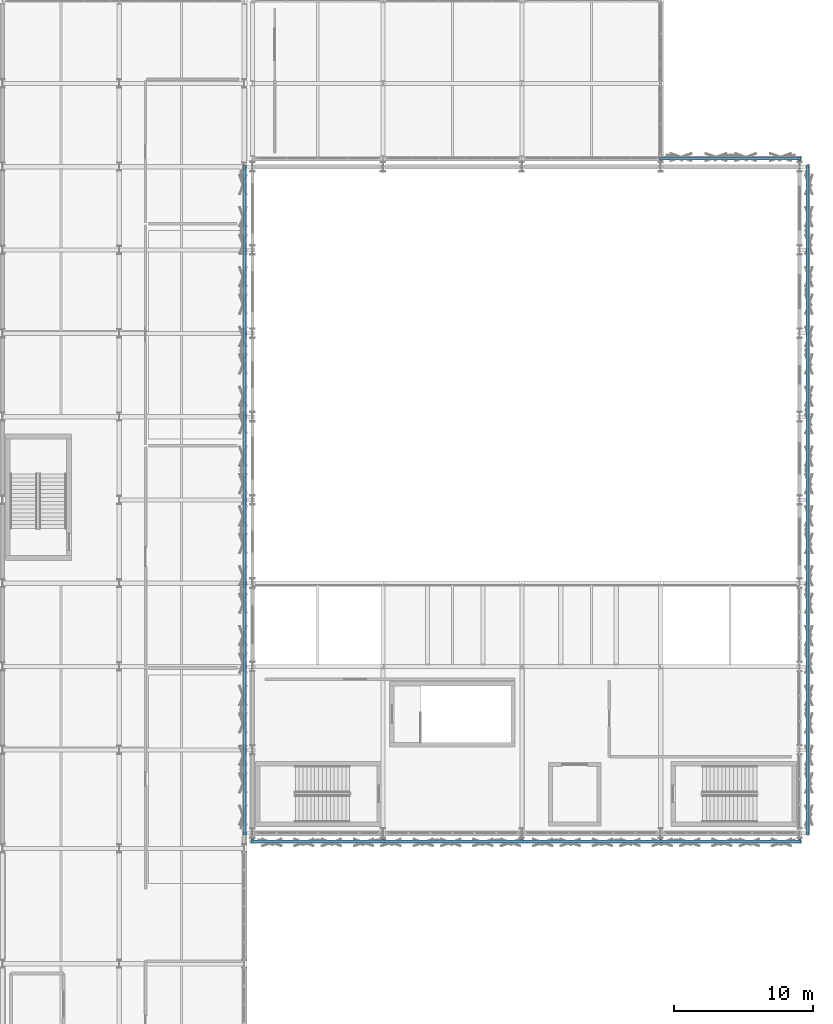
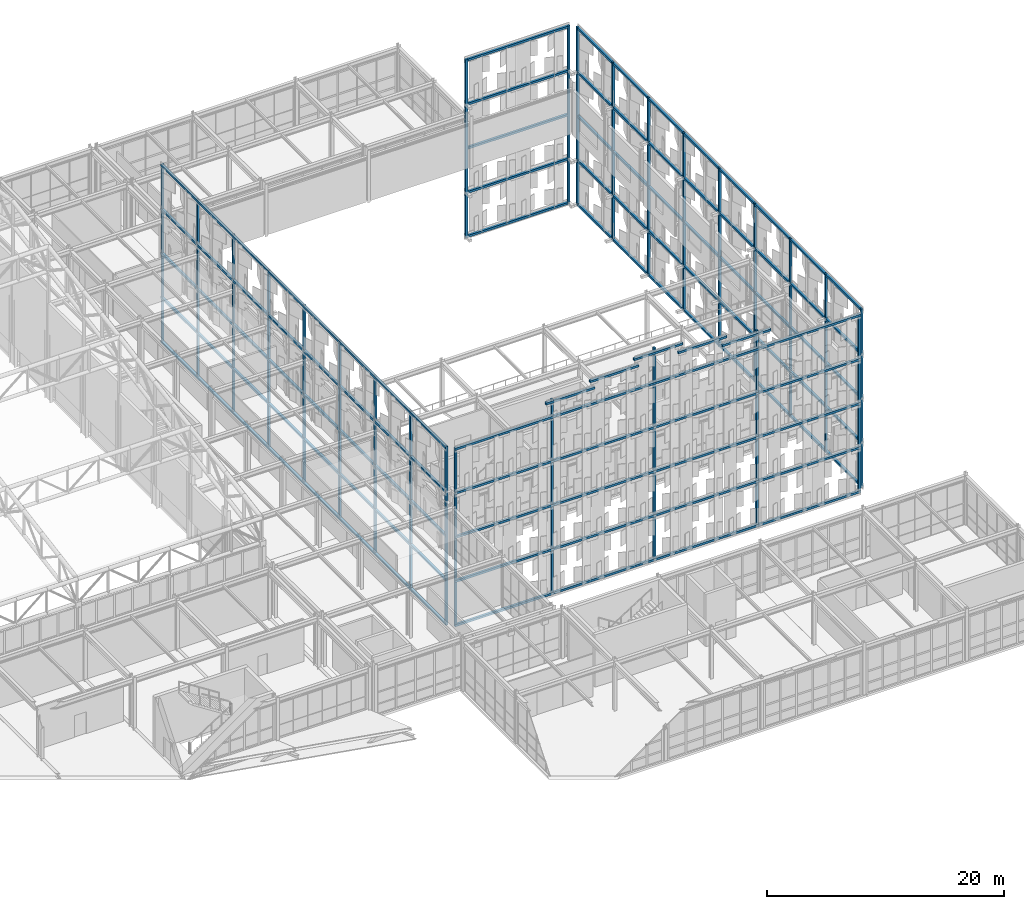
# One storey, part 210 of 239: 50 discrete accessories.
"""IFC4 building model written with IfcOpenShell, lengths in metres."""

import ifcopenshell
import ifcopenshell.guid

model = None  # the IFC model being written
_history = None  # IfcOwnerHistory: only IFC2X3 demands one
_inside = {}  # id of a spatial element -> (the spatial element, [elements in it])
_under = {}  # id of a project, library or spatial element -> (it, [spatial elements below it])
_declared = {}  # id of a project -> (the project, [libraries it declares])
_typed = {}  # id of a type object -> (the type object, [elements of that type])
_made_of = {}  # id of a material, layer set ... -> (it, [elements and type objects made of it])


def new_model(schema):
    """Start an empty IFC model of exactly this schema.

    Asked for "IFC4X3", IfcOpenShell would pick the latest addendum, in which some entities
    have other attributes; the version numbers below select the first issue.
    IFC2X3 requires an IfcOwnerHistory on every rooted entity: one is made here for all.
    """
    global model, _history
    if schema == "IFC4X3":
        model = ifcopenshell.file(schema_version=(4, 3, 0, 0))
    else:
        model = ifcopenshell.file(schema=schema)
    _inside.clear()
    _under.clear()
    _declared.clear()
    _typed.clear()
    _made_of.clear()
    _history = None
    if model.schema == "IFC2X3":
        org = make("IfcOrganization", Name="unknown")
        user = make(
            "IfcPersonAndOrganization",
            ThePerson=make("IfcPerson", FamilyName="unknown"),
            TheOrganization=org,
        )
        app = make(
            "IfcApplication",
            ApplicationDeveloper=org,
            Version="unknown",
            ApplicationFullName="unknown",
            ApplicationIdentifier="unknown",
        )
        _history = make(
            "IfcOwnerHistory",
            OwningUser=user,
            OwningApplication=app,
            ChangeAction="ADDED",
            CreationDate=0,
        )
    return model


def make(cls, **values):
    """One entity of the class cls with the attributes given. An attribute that is None is left unset."""
    return model.create_entity(
        cls, **{name: value for name, value in values.items() if value is not None}
    )


def rooted(cls, **values):
    """An entity with a GlobalId (a new one), such as an element, a storey or a relation."""
    return make(cls, GlobalId=ifcopenshell.guid.new(), OwnerHistory=_history, **values)


def si_unit(unit_type, name, prefix=None):
    """IfcSIUnit, for example si_unit("LENGTHUNIT", "METRE", prefix="MILLI")."""
    return make("IfcSIUnit", UnitType=unit_type, Prefix=prefix, Name=name)


def assignment(units):
    """IfcUnitAssignment: the units of a project."""
    return None if units is None else make("IfcUnitAssignment", Units=units)


def point(xyz):
    """IfcCartesianPoint."""
    return None if xyz is None else make("IfcCartesianPoint", Coordinates=xyz)


def direction(xyz):
    """IfcDirection."""
    return None if xyz is None else make("IfcDirection", DirectionRatios=xyz)


def frame(location, z_axis=None, x_axis=None):
    """IfcAxis2Placement3D, a coordinate frame: its origin and axes. An axis left out is left unset."""
    return make(
        "IfcAxis2Placement3D",
        Location=point(location),
        Axis=direction(z_axis),
        RefDirection=direction(x_axis),
    )


def frame_2d(location, x_axis=None):
    """IfcAxis2Placement2D, a coordinate frame in the plane: its origin and x axis."""
    return make(
        "IfcAxis2Placement2D", Location=point(location), RefDirection=direction(x_axis)
    )


def origin():
    """The frame at (0, 0, 0) with its axes left unset."""
    return frame((0.0, 0.0, 0.0))


def origin_2d():
    """The frame at (0, 0) in the plane with its x axis left unset."""
    return frame_2d((0.0, 0.0))


def place(relative_to, where):
    """IfcLocalPlacement: puts the frame where relative to a parent placement (None: the world)."""
    return make(
        "IfcLocalPlacement", PlacementRelTo=relative_to, RelativePlacement=where
    )


def context(
    kind, dimensions, precision=None, world=None, true_north=None, identifier=None
):
    """IfcGeometricRepresentationContext, for example the 3D "Model" context."""
    return make(
        "IfcGeometricRepresentationContext",
        ContextIdentifier=identifier,
        ContextType=kind,
        CoordinateSpaceDimension=dimensions,
        Precision=precision,
        WorldCoordinateSystem=world,
        TrueNorth=true_north,
    )


def subcontext(parent, identifier, kind, view, scale=None):
    """IfcGeometricRepresentationSubContext, for example "Body" below "Model"."""
    return make(
        "IfcGeometricRepresentationSubContext",
        ContextIdentifier=identifier,
        ContextType=kind,
        ParentContext=parent,
        TargetScale=scale,
        TargetView=view,
    )


def project(units=None, contexts=None):
    """IfcProject with its units and contexts."""
    return rooted(
        "IfcProject",
        Name="project",
        RepresentationContexts=contexts,
        UnitsInContext=assignment(units),
    )


def spatial(cls, under=None, at=None, **own):
    """A site, building, storey or space (cls), placed at a placement, below another one or the project."""
    s = rooted(cls, ObjectPlacement=at, **own)
    if under is not None:
        _under.setdefault(under.id(), (under, []))[1].append(s)
    return s


def profile(cls, at=None, kind="AREA", **sizes):
    """A parametric profile (cls). Its sizes go by their IFC names, for example OverallWidth=200.0."""
    return make(cls, ProfileType=kind, Position=at, **sizes)


def rectangle(**sizes):
    """IfcRectangleProfileDef."""
    return profile("IfcRectangleProfileDef", **sizes)


def extrude(swept, where, along, depth):
    """IfcExtrudedAreaSolid: the profile swept, set in the frame where, extruded along a direction by depth."""
    return make(
        "IfcExtrudedAreaSolid",
        SweptArea=swept,
        Position=where,
        ExtrudedDirection=direction(along),
        Depth=depth,
    )


def shape(context_of_items, identifier, shape_type, items):
    """IfcShapeRepresentation: the items that make up one representation, for example the "Body"."""
    return make(
        "IfcShapeRepresentation",
        ContextOfItems=context_of_items,
        RepresentationIdentifier=identifier,
        RepresentationType=shape_type,
        Items=items,
    )


def material(Name=None, Category=None):
    """IfcMaterial."""
    return make("IfcMaterial", Name=Name, Category=Category)


def made_of(thing, what):
    """Note that an element or type object is made of a material, layer set ...; save() writes the relation."""
    if what is not None:
        _made_of.setdefault(what.id(), (what, []))[1].append(thing)
    return thing


def type_object(cls, material=None, **own):
    """A type object (cls), such as IfcWallType, which elements share."""
    return made_of(rooted(cls, **own), material)


def element(
    cls,
    number,
    at=None,
    inside=None,
    cuts=None,
    type_object=None,
    material=None,
    context=None,
    identifier="Body",
    shape_type=None,
    held_by="IfcProductDefinitionShape",
    body=None,
    shapes=None,
    **own,
):
    """One element of the class cls, such as IfcWall. Its Tag is "e" and its number.

    at: its placement. inside: the storey or other place that contains it. cuts: it is an
    opening in that element (IfcRelVoidsElement). A single representation is given by context,
    identifier, shape_type and body (its items); several are given by shapes. held_by: the class
    of the entity that holds the representations. save() writes the other relations.
    """
    e = rooted(cls, Tag="e%d" % number, ObjectPlacement=at, **own)
    if body is not None:
        shapes = [shape(context, identifier, shape_type, body)]
    if shapes is not None:
        e.Representation = make(held_by, Representations=shapes)
    if inside is not None:
        _inside.setdefault(inside.id(), (inside, []))[1].append(e)
    if cuts is not None:
        rooted(
            "IfcRelVoidsElement", RelatingBuildingElement=cuts, RelatedOpeningElement=e
        )
    if type_object is not None:
        _typed.setdefault(type_object.id(), (type_object, []))[1].append(e)
    return made_of(e, material)


def aggregate(whole, parts):
    """IfcRelAggregates: a whole, such as a stair, and the parts it consists of."""
    return rooted("IfcRelAggregates", RelatingObject=whole, RelatedObjects=parts)


def save(model, path):
    """Write the relations noted so far, then the file.

    IfcRelAggregates (storeys below a building ...), IfcRelContainedInSpatialStructure (elements
    in a storey), IfcRelDefinesByType, IfcRelAssociatesMaterial and IfcRelDeclares: one each for
    every whole, place, type object, material and project.
    """
    for whole, parts in _under.values():
        aggregate(whole, parts)
    for where, things in _inside.values():
        rooted(
            "IfcRelContainedInSpatialStructure",
            RelatedElements=things,
            RelatingStructure=where,
        )
    for kind, things in _typed.values():
        rooted("IfcRelDefinesByType", RelatedObjects=things, RelatingType=kind)
    for what, things in _made_of.values():
        rooted("IfcRelAssociatesMaterial", RelatedObjects=things, RelatingMaterial=what)
    for by, libraries in _declared.values():
        rooted("IfcRelDeclares", RelatingContext=by, RelatedDefinitions=libraries)
    model.write(path)


model = new_model("IFC4")

# Units and contexts
model_context = context("Model", 3, precision=1e-05, world=origin(), true_north=direction((0.0, 1.0)))
body_context = subcontext(model_context, "Body", "Model", "MODEL_VIEW")
ifc_project = project(units=[si_unit("LENGTHUNIT", "METRE"), si_unit("AREAUNIT", "SQUARE_METRE"), si_unit("VOLUMEUNIT", "CUBIC_METRE"), si_unit("PLANEANGLEUNIT", "RADIAN"), si_unit("MASSUNIT", "GRAM", prefix="KILO")], contexts=[model_context])

# Site, building, storey
site_placement = place(None, origin())
site = spatial("IfcSite", under=ifc_project, at=site_placement, CompositionType="ELEMENT")
building_placement = place(site_placement, origin())
building = spatial("IfcBuilding", under=site, at=building_placement, Name="Kaldris Quays Convention Centre", CompositionType="ELEMENT")
storey_placement = place(building_placement, frame((0.0, 0.0, 11.39990234375)))
storey = spatial("IfcBuildingStorey", under=building, at=storey_placement, Name="L02", CompositionType="ELEMENT", Elevation=11.39990234375)

# Discrete accessories
ifc_material = material(Name="Steel S355J2", Category="steel")
discrete_accessory_type = type_object("IfcDiscreteAccessoryType", Name="SCREEN OUTRIGGER BRACKET BK01", PredefinedType="BRACKET", material=ifc_material)
for number, where, z_axis, x_axis, name in (
    (1, (204.56005859375, 56.0, -7.669921875), (0.0, 0.0, 1.0), (0.0, 1.0, 0.0), "V2E Screen Vertical Carrier Mullion 267"),
    (2, (204.56005859375, 62.0, -7.669921875), (0.0, 0.0, 1.0), (0.0, 1.0, 0.0), "V2E Screen Vertical Carrier Mullion 272"),
    (3, (204.56005859375, 68.0, -7.669921875), (0.0, 0.0, 1.0), (0.0, 1.0, 0.0), "V2E Screen Vertical Carrier Mullion 277"),
    (4, (204.56005859375, 74.0, -7.669921875), (0.0, 0.0, 1.0), (0.0, 1.0, 0.0), "V2E Screen Vertical Carrier Mullion 282"),
    (5, (204.56005859375, 80.0, -7.669921875), (0.0, 0.0, 1.0), (0.0, 1.0, 0.0), "V2E Screen Vertical Carrier Mullion 287"),
    (6, (204.56005859375, 86.0, -7.669921875), (0.0, 0.0, 1.0), (0.0, 1.0, 0.0), "V2E Screen Vertical Carrier Mullion 292"),
    (7, (204.56005859375, 92.0, -7.669921875), (0.0, 0.0, 1.0), (0.0, 1.0, 0.0), "V2E Screen Vertical Carrier Mullion 297"),
    (8, (204.56005859375, 98.0, -7.669921875), (0.0, 0.0, 1.0), (0.0, 1.0, 0.0), "V2E Screen Vertical Carrier Mullion 302"),
    (9, (204.56005859375, 104.0, -7.669921875), (0.0, 0.0, 1.0), (0.0, 1.0, 0.0), "V2E Screen Vertical Carrier Mullion 307"),
):
    element("IfcDiscreteAccessory", number, at=place(storey_placement, frame(where, z_axis=z_axis, x_axis=x_axis)), inside=storey, type_object=discrete_accessory_type, Name=name, PredefinedType="BRACKET", context=body_context, shape_type="SweptSolid", body=[
        extrude(rectangle(XDim=0.199951171875, YDim=0.219970703125, at=origin_2d()), origin(), (0.0, 0.0, 1.0), 18.43994140625),
    ])
for number, where, z_axis, x_axis, name in (
    (10, (204.580078125, 80.0, -7.65966796875), (0.0, 0.0, 1.0), (0.0, 1.0, 0.0), "V2E Screen Carrier Rail 312"),
    (11, (204.580078125, 80.0, -3.10986328125), (0.0, 0.0, 1.0), (0.0, 1.0, 0.0), "V2E Screen Carrier Rail 313"),
    (12, (204.580078125, 80.0, 1.43994140625), (0.0, 0.0, 1.0), (0.0, 1.0, 0.0), "V2E Screen Carrier Rail 314"),
    (13, (204.580078125, 80.0, 5.990234375), (0.0, 0.0, 1.0), (0.0, 1.0, 0.0), "V2E Screen Carrier Rail 315"),
    (14, (204.580078125, 80.0, 10.5400390625), (0.0, 0.0, 1.0), (0.0, 1.0, 0.0), "V2E Screen Carrier Rail 316"),
):
    element("IfcDiscreteAccessory", number, at=place(storey_placement, frame(where, z_axis=z_axis, x_axis=x_axis)), inside=storey, type_object=discrete_accessory_type, Name=name, PredefinedType="BRACKET", context=body_context, shape_type="SweptSolid", body=[
        extrude(rectangle(XDim=48.199951171875, YDim=0.219970703125, at=origin_2d()), origin(), (0.0, 0.0, 1.0), 0.219970703125),
    ])
for number, where, z_axis, x_axis, name in (
    (15, (164.0400390625, 56.0, -7.669921875), (0.0, 0.0, 1.0), (0.0, 1.0, 0.0), "V2W Screen Vertical Carrier Mullion 317"),
    (16, (164.0400390625, 62.0, -7.669921875), (0.0, 0.0, 1.0), (0.0, 1.0, 0.0), "V2W Screen Vertical Carrier Mullion 322"),
    (17, (164.0400390625, 68.0, -7.669921875), (0.0, 0.0, 1.0), (0.0, 1.0, 0.0), "V2W Screen Vertical Carrier Mullion 327"),
    (18, (164.0400390625, 74.0, -7.669921875), (0.0, 0.0, 1.0), (0.0, 1.0, 0.0), "V2W Screen Vertical Carrier Mullion 332"),
    (19, (164.0400390625, 80.0, -7.669921875), (0.0, 0.0, 1.0), (0.0, 1.0, 0.0), "V2W Screen Vertical Carrier Mullion 337"),
    (20, (164.0400390625, 86.0, -7.669921875), (0.0, 0.0, 1.0), (0.0, 1.0, 0.0), "V2W Screen Vertical Carrier Mullion 342"),
    (21, (164.0400390625, 92.0, -7.669921875), (0.0, 0.0, 1.0), (0.0, 1.0, 0.0), "V2W Screen Vertical Carrier Mullion 347"),
    (22, (164.0400390625, 98.0, -7.669921875), (0.0, 0.0, 1.0), (0.0, 1.0, 0.0), "V2W Screen Vertical Carrier Mullion 352"),
    (23, (164.0400390625, 104.0, -7.669921875), (0.0, 0.0, 1.0), (0.0, 1.0, 0.0), "V2W Screen Vertical Carrier Mullion 357"),
):
    element("IfcDiscreteAccessory", number, at=place(storey_placement, frame(where, z_axis=z_axis, x_axis=x_axis)), inside=storey, type_object=discrete_accessory_type, Name=name, PredefinedType="BRACKET", context=body_context, shape_type="SweptSolid", body=[
        extrude(rectangle(XDim=0.199951171875, YDim=0.219970703125, at=origin_2d()), origin(), (0.0, 0.0, 1.0), 18.43994140625),
    ])
for number, where, z_axis, x_axis, name in (
    (24, (164.02001953125, 80.0, -7.65966796875), (0.0, 0.0, 1.0), (0.0, 1.0, 0.0), "V2W Screen Carrier Rail 362"),
    (25, (164.02001953125, 80.0, -3.10986328125), (0.0, 0.0, 1.0), (0.0, 1.0, 0.0), "V2W Screen Carrier Rail 363"),
    (26, (164.02001953125, 80.0, 1.43994140625), (0.0, 0.0, 1.0), (0.0, 1.0, 0.0), "V2W Screen Carrier Rail 364"),
    (27, (164.02001953125, 80.0, 5.990234375), (0.0, 0.0, 1.0), (0.0, 1.0, 0.0), "V2W Screen Carrier Rail 365"),
    (28, (164.02001953125, 80.0, 10.5400390625), (0.0, 0.0, 1.0), (0.0, 1.0, 0.0), "V2W Screen Carrier Rail 366"),
):
    element("IfcDiscreteAccessory", number, at=place(storey_placement, frame(where, z_axis=z_axis, x_axis=x_axis)), inside=storey, type_object=discrete_accessory_type, Name=name, PredefinedType="BRACKET", context=body_context, shape_type="SweptSolid", body=[
        extrude(rectangle(XDim=48.199951171875, YDim=0.219970703125, at=origin_2d()), origin(), (0.0, 0.0, 1.0), 0.219970703125),
    ])
discrete_accessory_1_placement = place(storey_placement, frame((164.60009765625, 55.43994140625, -7.669921875), z_axis=(0.0, 0.0, 1.0), x_axis=(1.0, 0.0, 0.0)))
element("IfcDiscreteAccessory", 29, at=discrete_accessory_1_placement, inside=storey, type_object=discrete_accessory_type, Name="V2S Screen Vertical Carrier Mullion 367", PredefinedType="BRACKET", context=body_context, shape_type="SweptSolid", body=[
    extrude(rectangle(XDim=0.199951171875, YDim=0.219970703125, at=origin_2d()), origin(), (0.0, 0.0, 1.0), 18.43994140625),
])
discrete_accessory_2_placement = place(storey_placement, frame((174.0, 55.43994140625, -7.669921875), z_axis=(0.0, 0.0, 1.0), x_axis=(1.0, 0.0, 0.0)))
element("IfcDiscreteAccessory", 30, at=discrete_accessory_2_placement, inside=storey, type_object=discrete_accessory_type, Name="V2S Screen Vertical Carrier Mullion 372", PredefinedType="BRACKET", context=body_context, shape_type="SweptSolid", body=[
    extrude(rectangle(XDim=0.199951171875, YDim=0.219970703125, at=origin_2d()), origin(), (0.0, 0.0, 1.0), 20.157958984375),
])
discrete_accessory_3_placement = place(storey_placement, frame((184.0, 55.43994140625, -7.669921875), z_axis=(0.0, 0.0, 1.0), x_axis=(1.0, 0.0, 0.0)))
element("IfcDiscreteAccessory", 31, at=discrete_accessory_3_placement, inside=storey, type_object=discrete_accessory_type, Name="V2S Screen Vertical Carrier Mullion 377", PredefinedType="BRACKET", context=body_context, shape_type="SweptSolid", body=[
    extrude(rectangle(XDim=0.199951171875, YDim=0.219970703125, at=origin_2d()), origin(), (0.0, 0.0, 1.0), 21.985107421875),
])
discrete_accessory_4_placement = place(storey_placement, frame((194.0, 55.43994140625, -7.669921875), z_axis=(0.0, 0.0, 1.0), x_axis=(1.0, 0.0, 0.0)))
element("IfcDiscreteAccessory", 32, at=discrete_accessory_4_placement, inside=storey, type_object=discrete_accessory_type, Name="V2S Screen Vertical Carrier Mullion 382", PredefinedType="BRACKET", context=body_context, shape_type="SweptSolid", body=[
    extrude(rectangle(XDim=0.199951171875, YDim=0.219970703125, at=origin_2d()), origin(), (0.0, 0.0, 1.0), 20.26708984375),
])
discrete_accessory_5_placement = place(storey_placement, frame((204.0, 55.43994140625, -7.669921875), z_axis=(0.0, 0.0, 1.0), x_axis=(1.0, 0.0, 0.0)))
element("IfcDiscreteAccessory", 33, at=discrete_accessory_5_placement, inside=storey, type_object=discrete_accessory_type, Name="V2S Screen Vertical Carrier Mullion 387", PredefinedType="BRACKET", context=body_context, shape_type="SweptSolid", body=[
    extrude(rectangle(XDim=0.199951171875, YDim=0.219970703125, at=origin_2d()), origin(), (0.0, 0.0, 1.0), 18.43994140625),
])
for number, where, z_axis, x_axis, name in (
    (34, (184.300048828125, 55.419921875, -7.65966796875), (0.0, 0.0, 1.0), (1.0, 0.0, 0.0), "V2S Screen Carrier Rail 392"),
    (35, (184.300048828125, 55.419921875, -3.10986328125), (0.0, 0.0, 1.0), (1.0, 0.0, 0.0), "V2S Screen Carrier Rail 393"),
    (36, (184.300048828125, 55.419921875, 1.43994140625), (0.0, 0.0, 1.0), (1.0, 0.0, 0.0), "V2S Screen Carrier Rail 394"),
    (37, (184.300048828125, 55.419921875, 5.990234375), (0.0, 0.0, 1.0), (1.0, 0.0, 0.0), "V2S Screen Carrier Rail 395"),
    (38, (184.300048828125, 55.419921875, 10.5400390625), (0.0, 0.0, 1.0), (1.0, 0.0, 0.0), "V2S Screen Carrier Rail 396"),
):
    element("IfcDiscreteAccessory", number, at=place(storey_placement, frame(where, z_axis=z_axis, x_axis=x_axis)), inside=storey, type_object=discrete_accessory_type, Name=name, PredefinedType="BRACKET", context=body_context, shape_type="SweptSolid", body=[
        extrude(rectangle(XDim=39.60009765625, YDim=0.219970703125, at=origin_2d()), origin(), (0.0, 0.0, 1.0), 0.219970703125),
    ])
for number, where, z_axis, x_axis, name in (
    (39, (175.75, 55.419921875, 12.11328125), (0.0, 0.0, 1.0), (1.0, 0.0, 0.0), "V2S Gable Screen Cap Rail 397"),
    (40, (180.050048828125, 55.419921875, 12.89892578125), (0.0, 0.0, 1.0), (1.0, 0.0, 0.0), "V2S Gable Screen Cap Rail 398"),
    (41, (184.35009765625, 55.419921875, 13.6669921875), (0.0, 0.0, 1.0), (1.0, 0.0, 0.0), "V2S Gable Screen Cap Rail 399"),
    (42, (188.64990234375, 55.419921875, 12.88134765625), (0.0, 0.0, 1.0), (1.0, 0.0, 0.0), "V2S Gable Screen Cap Rail 400"),
    (43, (192.949951171875, 55.419921875, 12.09521484375), (0.0, 0.0, 1.0), (1.0, 0.0, 0.0), "V2S Gable Screen Cap Rail 401"),
):
    element("IfcDiscreteAccessory", number, at=place(storey_placement, frame(where, z_axis=z_axis, x_axis=x_axis)), inside=storey, type_object=discrete_accessory_type, Name=name, PredefinedType="BRACKET", context=body_context, shape_type="SweptSolid", body=[
        extrude(rectangle(XDim=4.75, YDim=0.219970703125, at=origin_2d()), origin(), (0.0, 0.0, 1.0), 0.219970703125),
    ])
for number, where, z_axis, x_axis, name in (
    (44, (194.0, 104.56005859375, -7.669921875), (0.0, 0.0, 1.0), (1.0, 0.0, 0.0), "V2N Screen Vertical Carrier Mullion 402"),
    (45, (204.0, 104.56005859375, -7.669921875), (0.0, 0.0, 1.0), (1.0, 0.0, 0.0), "V2N Screen Vertical Carrier Mullion 407"),
):
    element("IfcDiscreteAccessory", number, at=place(storey_placement, frame(where, z_axis=z_axis, x_axis=x_axis)), inside=storey, type_object=discrete_accessory_type, Name=name, PredefinedType="BRACKET", context=body_context, shape_type="SweptSolid", body=[
        extrude(rectangle(XDim=0.199951171875, YDim=0.219970703125, at=origin_2d()), origin(), (0.0, 0.0, 1.0), 18.43994140625),
    ])
for number, where, z_axis, x_axis, name in (
    (46, (199.0, 104.580078125, -7.65966796875), (0.0, 0.0, 1.0), (1.0, 0.0, 0.0), "V2N Screen Carrier Rail 412"),
    (47, (199.0, 104.580078125, -3.10986328125), (0.0, 0.0, 1.0), (1.0, 0.0, 0.0), "V2N Screen Carrier Rail 413"),
    (48, (199.0, 104.580078125, 1.43994140625), (0.0, 0.0, 1.0), (1.0, 0.0, 0.0), "V2N Screen Carrier Rail 414"),
    (49, (199.0, 104.580078125, 5.990234375), (0.0, 0.0, 1.0), (1.0, 0.0, 0.0), "V2N Screen Carrier Rail 415"),
    (50, (199.0, 104.580078125, 10.5400390625), (0.0, 0.0, 1.0), (1.0, 0.0, 0.0), "V2N Screen Carrier Rail 416"),
):
    element("IfcDiscreteAccessory", number, at=place(storey_placement, frame(where, z_axis=z_axis, x_axis=x_axis)), inside=storey, type_object=discrete_accessory_type, Name=name, PredefinedType="BRACKET", context=body_context, shape_type="SweptSolid", body=[
        extrude(rectangle(XDim=10.199951171875, YDim=0.219970703125, at=origin_2d()), origin(), (0.0, 0.0, 1.0), 0.219970703125),
    ])

save(model, "model.ifc")
